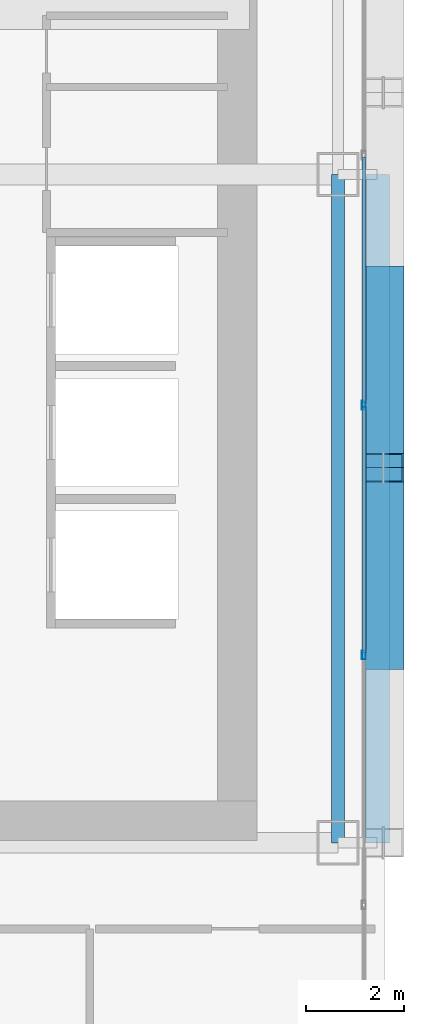
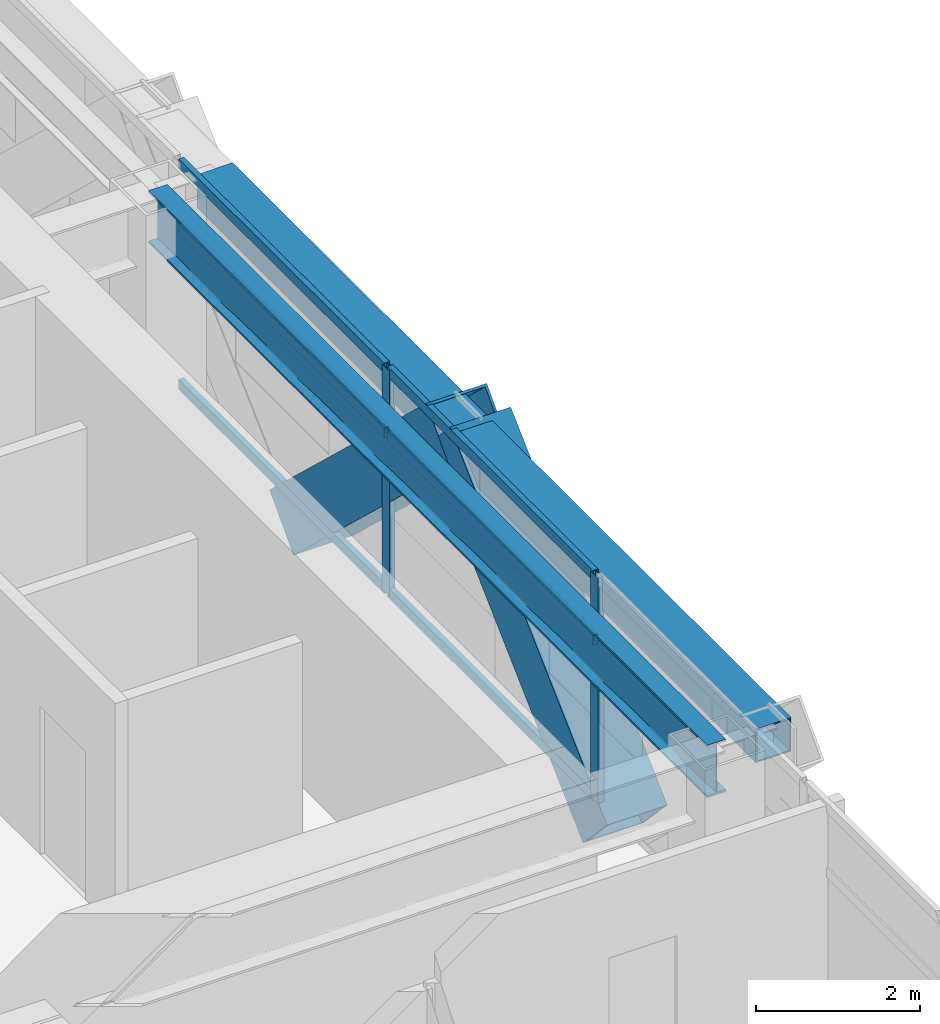
# One storey, part 16 of 41: 10 members, 2 beams, 1 element without a shape of its own.
"""IFC4 building model written with IfcOpenShell, lengths in metres."""

from ifc_helpers import new_model, si_unit, direction, frame, origin, origin_2d, place, context, subcontext, project, spatial, hollow_rectangle, i_section, extrude, source, transform, mapped, material, layer, layer_set, material_profile, profile_set, type_object, element, aggregate, save


model = new_model("IFC4")

# Units and contexts
model_context = context("Model", 3, precision=1e-05, world=origin(), true_north=direction((0.0, 1.0)))
body_context = subcontext(model_context, "Body", "Model", "MODEL_VIEW")
ifc_project = project(units=[si_unit("LENGTHUNIT", "METRE"), si_unit("AREAUNIT", "SQUARE_METRE"), si_unit("VOLUMEUNIT", "CUBIC_METRE"), si_unit("PLANEANGLEUNIT", "RADIAN"), si_unit("MASSUNIT", "GRAM", prefix="KILO")], contexts=[model_context])

# Site, building, storey
site_placement = place(None, origin())
site = spatial("IfcSite", under=ifc_project, at=site_placement, CompositionType="ELEMENT")
building_placement = place(site_placement, origin())
building = spatial("IfcBuilding", under=site, at=building_placement, Name="Ocotamira Hotel", CompositionType="ELEMENT")
storey_placement = place(building_placement, frame((0.0, 0.0, 67.199951171875)))
storey = spatial("IfcBuildingStorey", under=building, at=storey_placement, Name="L16", CompositionType="ELEMENT", Elevation=67.199951171875)

# Beams
ifc_material_1 = material(Name="Steel ASTM A992 Grade 50", Category="steel")
ifc_material_profile_1 = material_profile(ifc_material_1, i_section(OverallWidth=0.26611328125, OverallDepth=0.779052734375, WebThickness=0.0166015625, FlangeThickness=0.030029296875, FilletRadius=0.01806640625, at=origin_2d()), Name="W30X148")
ifc_profile_set_1 = profile_set([ifc_material_profile_1], Name="Steel ASTM A992 Grade 50")
beam_type_1 = type_object("IfcBeamType", Name="BM-GIRD-W30X148", PredefinedType="BEAM", material=ifc_profile_set_1)
shared_shape_1 = source(origin(), body_context, "Body", "SweptSolid", [
    extrude(i_section(OverallWidth=0.26611328125, OverallDepth=0.779052734375, WebThickness=0.0166015625, FlangeThickness=0.030029296875, FilletRadius=0.01806640625, at=origin_2d()), origin(), (0.0, 0.0, 1.0), 13.599853515625),
])
beam_1_placement = place(storey_placement, frame((55.050048828125, 14.550048828125, 2.96044921875), z_axis=(0.0, 1.0, 0.0), x_axis=(-1.0, 0.0, 0.0)))
element("IfcBeam", 1, at=beam_1_placement, inside=storey, type_object=beam_type_1, Name="L16 Beam X55.05 Y14.55-28.15", PredefinedType="BEAM", context=body_context, shape_type="MappedRepresentation", body=[
    mapped(shared_shape_1, transform((0.0, 0.0, 0.0), scale=1.0)),
])
ifc_material_2 = material(Name="Steel ASTM A500 Grade C", Category="steel")
ifc_material_profile_2 = material_profile(ifc_material_2, hollow_rectangle(XDim=0.5, YDim=0.5, WallThickness=0.02001953125, at=origin_2d()), Name="HSS500X500X20")
ifc_profile_set_2 = profile_set([ifc_material_profile_2], Name="Steel ASTM A500 Grade C")
beam_type_2 = type_object("IfcBeamType", Name="BM-SPAN-HSS500", PredefinedType="USERDEFINED", material=ifc_profile_set_2)
shared_shape_2 = source(origin(), body_context, "Body", "SweptSolid", [
    extrude(hollow_rectangle(XDim=0.5, YDim=0.5, WallThickness=0.02001953125, at=origin_2d()), origin(), (0.0, 0.0, 1.0), 13.599853515625),
])
beam_2_placement = place(storey_placement, frame((55.85009765625, 14.550048828125, 3.10009765625), z_axis=(0.0, 1.0, 0.0), x_axis=(-1.0, 0.0, 0.0)))
element("IfcBeam", 2, at=beam_2_placement, inside=storey, type_object=beam_type_2, Name="L16 Edge Spandrel E Y14.55-28.15", ObjectType="SPANDREL", PredefinedType="USERDEFINED", context=body_context, shape_type="MappedRepresentation", body=[
    mapped(shared_shape_2, transform((0.0, 0.0, 0.0), scale=1.0)),
])

# Members
ifc_material_3 = material(Name="Pale-metal coated steel ASTM A913 Grade 65", Category="steel")
ifc_material_profile_3 = material_profile(ifc_material_3, hollow_rectangle(XDim=0.85009765625, YDim=0.85009765625, WallThickness=0.035888671875, at=origin_2d()), Name="BOX850X850X36")
ifc_profile_set_3 = profile_set([ifc_material_profile_3], Name="Pale-metal coated steel ASTM A913 Grade 65")
member_type_1 = type_object("IfcMemberType", Name="MEM-EXO-BOX850", PredefinedType="BRACE", material=ifc_profile_set_3)
shared_shape_3 = source(origin(), body_context, "Body", "SweptSolid", [
    extrude(hollow_rectangle(XDim=0.85009765625, YDim=0.85009765625, WallThickness=0.035888671875, at=origin_2d()), origin(), (0.0, 0.0, 1.0), 5.24658203125),
])
for number, where, z_axis, x_axis, name in (
    (3, (55.969970703125, 18.36669921875, -0.5), (0.0, 0.727442733726, 0.686168397078), (-1.0, 0.0, 0.0), "L16 Exoskeleton Diagrid E0.2"),
    (4, (55.969970703125, 26.0, -0.5), (0.0, -0.727442733726, 0.686168397078), (1.0, 0.0, 0.0), "L16 Exoskeleton Diagrid E1.1"),
):
    element("IfcMember", number, at=place(storey_placement, frame(where, z_axis=z_axis, x_axis=x_axis)), inside=storey, type_object=member_type_1, Name=name, PredefinedType="BRACE", context=body_context, shape_type="MappedRepresentation", body=[
        mapped(shared_shape_3, transform((0.0, 0.0, 0.0), scale=1.0)),
    ])

# Curtain wall, members
ifc_material_4 = material(Name="Anodised pale-metal aluminium and solar glass", Category="aluminium")
ifc_layer = layer(ifc_material_4, 0.179931640625)
ifc_layer_set = layer_set([ifc_layer], Name="Anodised pale-metal aluminium and solar glass")
curtain_wall_type = type_object("IfcCurtainWallType", Name="CW-SYS2-Z1", PredefinedType="NOTDEFINED", material=ifc_layer_set)
curtain_wall_placement = place(storey_placement, origin())
curtain_wall = element("IfcCurtainWall", 5, at=curtain_wall_placement, inside=storey, type_object=curtain_wall_type, Name="L16 Curtain Wall CW-2 CW-L16-E", PredefinedType="NOTDEFINED")
ifc_material_5 = material(Name="Anodised pale-metal aluminium 6063-T6", Category="aluminium")
ifc_material_profile_4 = material_profile(ifc_material_5, hollow_rectangle(XDim=0.074951171875, YDim=0.14990234375, WallThickness=0.006103515625, at=origin_2d()), Name="HSS150X75X6")
ifc_profile_set_4 = profile_set([ifc_material_profile_4], Name="Anodised pale-metal aluminium 6063-T6")
member_type_2 = type_object("IfcMemberType", Name="CWT-150X75", PredefinedType="USERDEFINED", material=ifc_profile_set_4)
shared_shape_4 = source(origin(), body_context, "Body", "SweptSolid", [
    extrude(hollow_rectangle(XDim=0.074951171875, YDim=0.14990234375, WallThickness=0.006103515625, at=origin_2d()), origin(), (0.0, 0.0, 1.0), 5.005859375),
])
member_1_placement = place(storey_placement, frame((55.580078125, 18.411376953125, 0.03759765625), z_axis=(0.0, 1.0, 0.0), x_axis=(-1.0, 0.0, 0.0)))
member_1 = element("IfcMember", 6, at=member_1_placement, type_object=member_type_2, Name="CW-2 transom 3.1", ObjectType="TRANSOM", PredefinedType="USERDEFINED", context=body_context, shape_type="MappedRepresentation", body=[
    mapped(shared_shape_4, transform((0.0, 0.0, 0.0), scale=1.0)),
])
member_2_placement = place(storey_placement, frame((55.580078125, 18.411376953125, 2.35009765625), z_axis=(0.0, 1.0, 0.0), x_axis=(-1.0, 0.0, 0.0)))
member_2 = element("IfcMember", 7, at=member_2_placement, type_object=member_type_2, Name="CW-2 transom 3.2", ObjectType="TRANSOM", PredefinedType="USERDEFINED", context=body_context, shape_type="MappedRepresentation", body=[
    mapped(shared_shape_4, transform((0.0, 0.0, 0.0), scale=1.0)),
])
member_3_placement = place(storey_placement, frame((55.580078125, 18.411376953125, 3.3125), z_axis=(0.0, 1.0, 0.0), x_axis=(-1.0, 0.0, 0.0)))
member_3 = element("IfcMember", 8, at=member_3_placement, type_object=member_type_2, Name="CW-2 transom 3.3", ObjectType="TRANSOM", PredefinedType="USERDEFINED", context=body_context, shape_type="MappedRepresentation", body=[
    mapped(shared_shape_4, transform((0.0, 0.0, 0.0), scale=1.0)),
])
member_4_placement = place(storey_placement, frame((55.580078125, 23.4970703125, 0.03759765625), z_axis=(0.0, 1.0, 0.0), x_axis=(-1.0, 0.0, 0.0)))
member_4 = element("IfcMember", 9, at=member_4_placement, type_object=member_type_2, Name="CW-2 transom 4.1", ObjectType="TRANSOM", PredefinedType="USERDEFINED", context=body_context, shape_type="MappedRepresentation", body=[
    mapped(shared_shape_4, transform((0.0, 0.0, 0.0), scale=1.0)),
])
member_5_placement = place(storey_placement, frame((55.580078125, 23.4970703125, 2.35009765625), z_axis=(0.0, 1.0, 0.0), x_axis=(-1.0, 0.0, 0.0)))
member_5 = element("IfcMember", 10, at=member_5_placement, type_object=member_type_2, Name="CW-2 transom 4.2", ObjectType="TRANSOM", PredefinedType="USERDEFINED", context=body_context, shape_type="MappedRepresentation", body=[
    mapped(shared_shape_4, transform((0.0, 0.0, 0.0), scale=1.0)),
])
member_6_placement = place(storey_placement, frame((55.580078125, 23.4970703125, 3.3125), z_axis=(0.0, 1.0, 0.0), x_axis=(-1.0, 0.0, 0.0)))
member_6 = element("IfcMember", 11, at=member_6_placement, type_object=member_type_2, Name="CW-2 transom 4.3", ObjectType="TRANSOM", PredefinedType="USERDEFINED", context=body_context, shape_type="MappedRepresentation", body=[
    mapped(shared_shape_4, transform((0.0, 0.0, 0.0), scale=1.0)),
])
ifc_material_profile_5 = material_profile(ifc_material_5, hollow_rectangle(XDim=0.080078125, YDim=0.179931640625, WallThickness=0.006103515625, at=origin_2d()), Name="HSS180X80X6")
ifc_profile_set_5 = profile_set([ifc_material_profile_5], Name="Anodised pale-metal aluminium 6063-T6")
member_type_3 = type_object("IfcMemberType", Name="CWM-180X75", PredefinedType="MULLION", material=ifc_profile_set_5)
shared_shape_5 = source(origin(), body_context, "Body", "SweptSolid", [
    extrude(hollow_rectangle(XDim=0.080078125, YDim=0.179931640625, WallThickness=0.006103515625, at=origin_2d()), origin(), (0.0, 0.0, 1.0), 3.35009765625),
])
member_7_placement = place(storey_placement, frame((55.580078125, 18.371337890625, 0.0), z_axis=(0.0, 0.0, 1.0), x_axis=(-1.0, 0.0, 0.0)))
member_7 = element("IfcMember", 12, at=member_7_placement, type_object=member_type_3, Name="CW-2 mullion 3", PredefinedType="MULLION", context=body_context, shape_type="MappedRepresentation", body=[
    mapped(shared_shape_5, transform((0.0, 0.0, 0.0), scale=1.0)),
])
member_8_placement = place(storey_placement, frame((55.580078125, 23.45703125, 0.0), z_axis=(0.0, 0.0, 1.0), x_axis=(-1.0, 0.0, 0.0)))
member_8 = element("IfcMember", 13, at=member_8_placement, type_object=member_type_3, Name="CW-2 mullion 4", PredefinedType="MULLION", context=body_context, shape_type="MappedRepresentation", body=[
    mapped(shared_shape_5, transform((0.0, 0.0, 0.0), scale=1.0)),
])
aggregate(curtain_wall, [member_7, member_8, member_1, member_2, member_3, member_4, member_5, member_6])

save(model, "model.ifc")
